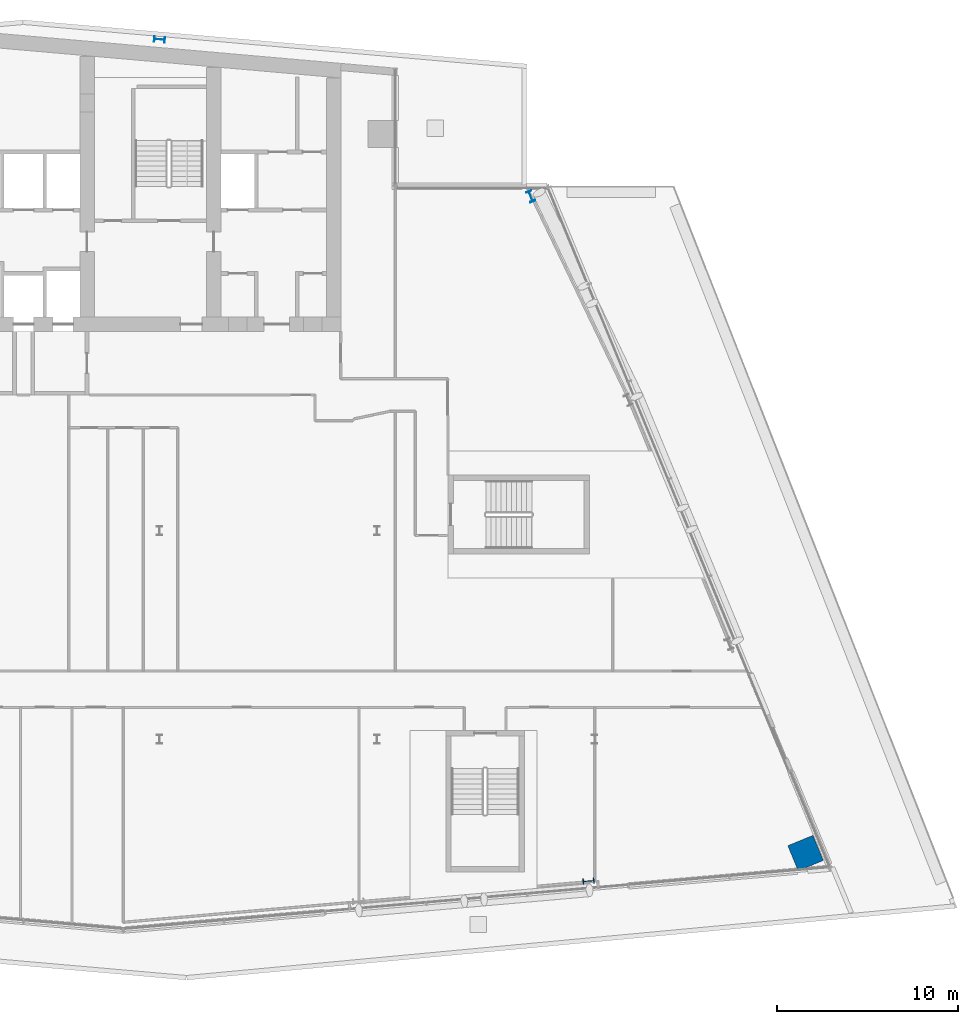
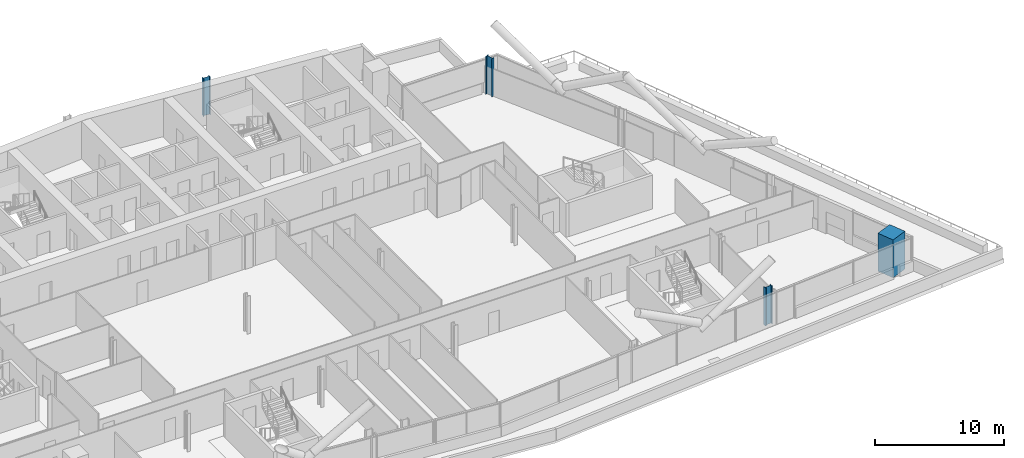
# One storey, part 4 of 30: 4 columns.
"""IFC4 building model written with IfcOpenShell, lengths in metres."""

import ifcopenshell
import ifcopenshell.guid

model = None  # the IFC model being written
_history = None  # IfcOwnerHistory: only IFC2X3 demands one
_inside = {}  # id of a spatial element -> (the spatial element, [elements in it])
_under = {}  # id of a project, library or spatial element -> (it, [spatial elements below it])
_declared = {}  # id of a project -> (the project, [libraries it declares])
_typed = {}  # id of a type object -> (the type object, [elements of that type])
_made_of = {}  # id of a material, layer set ... -> (it, [elements and type objects made of it])


def new_model(schema):
    """Start an empty IFC model of exactly this schema.

    Asked for "IFC4X3", IfcOpenShell would pick the latest addendum, in which some entities
    have other attributes; the version numbers below select the first issue.
    IFC2X3 requires an IfcOwnerHistory on every rooted entity: one is made here for all.
    """
    global model, _history
    if schema == "IFC4X3":
        model = ifcopenshell.file(schema_version=(4, 3, 0, 0))
    else:
        model = ifcopenshell.file(schema=schema)
    _inside.clear()
    _under.clear()
    _declared.clear()
    _typed.clear()
    _made_of.clear()
    _history = None
    if model.schema == "IFC2X3":
        org = make("IfcOrganization", Name="unknown")
        user = make(
            "IfcPersonAndOrganization",
            ThePerson=make("IfcPerson", FamilyName="unknown"),
            TheOrganization=org,
        )
        app = make(
            "IfcApplication",
            ApplicationDeveloper=org,
            Version="unknown",
            ApplicationFullName="unknown",
            ApplicationIdentifier="unknown",
        )
        _history = make(
            "IfcOwnerHistory",
            OwningUser=user,
            OwningApplication=app,
            ChangeAction="ADDED",
            CreationDate=0,
        )
    return model


def make(cls, **values):
    """One entity of the class cls with the attributes given. An attribute that is None is left unset."""
    return model.create_entity(
        cls, **{name: value for name, value in values.items() if value is not None}
    )


def rooted(cls, **values):
    """An entity with a GlobalId (a new one), such as an element, a storey or a relation."""
    return make(cls, GlobalId=ifcopenshell.guid.new(), OwnerHistory=_history, **values)


def si_unit(unit_type, name, prefix=None):
    """IfcSIUnit, for example si_unit("LENGTHUNIT", "METRE", prefix="MILLI")."""
    return make("IfcSIUnit", UnitType=unit_type, Prefix=prefix, Name=name)


def assignment(units):
    """IfcUnitAssignment: the units of a project."""
    return None if units is None else make("IfcUnitAssignment", Units=units)


def point(xyz):
    """IfcCartesianPoint."""
    return None if xyz is None else make("IfcCartesianPoint", Coordinates=xyz)


def direction(xyz):
    """IfcDirection."""
    return None if xyz is None else make("IfcDirection", DirectionRatios=xyz)


def frame(location, z_axis=None, x_axis=None):
    """IfcAxis2Placement3D, a coordinate frame: its origin and axes. An axis left out is left unset."""
    return make(
        "IfcAxis2Placement3D",
        Location=point(location),
        Axis=direction(z_axis),
        RefDirection=direction(x_axis),
    )


def frame_2d(location, x_axis=None):
    """IfcAxis2Placement2D, a coordinate frame in the plane: its origin and x axis."""
    return make(
        "IfcAxis2Placement2D", Location=point(location), RefDirection=direction(x_axis)
    )


def origin():
    """The frame at (0, 0, 0) with its axes left unset."""
    return frame((0.0, 0.0, 0.0))


def origin_2d():
    """The frame at (0, 0) in the plane with its x axis left unset."""
    return frame_2d((0.0, 0.0))


def place(relative_to, where):
    """IfcLocalPlacement: puts the frame where relative to a parent placement (None: the world)."""
    return make(
        "IfcLocalPlacement", PlacementRelTo=relative_to, RelativePlacement=where
    )


def context(
    kind, dimensions, precision=None, world=None, true_north=None, identifier=None
):
    """IfcGeometricRepresentationContext, for example the 3D "Model" context."""
    return make(
        "IfcGeometricRepresentationContext",
        ContextIdentifier=identifier,
        ContextType=kind,
        CoordinateSpaceDimension=dimensions,
        Precision=precision,
        WorldCoordinateSystem=world,
        TrueNorth=true_north,
    )


def subcontext(parent, identifier, kind, view, scale=None):
    """IfcGeometricRepresentationSubContext, for example "Body" below "Model"."""
    return make(
        "IfcGeometricRepresentationSubContext",
        ContextIdentifier=identifier,
        ContextType=kind,
        ParentContext=parent,
        TargetScale=scale,
        TargetView=view,
    )


def project(units=None, contexts=None):
    """IfcProject with its units and contexts."""
    return rooted(
        "IfcProject",
        Name="project",
        RepresentationContexts=contexts,
        UnitsInContext=assignment(units),
    )


def spatial(cls, under=None, at=None, **own):
    """A site, building, storey or space (cls), placed at a placement, below another one or the project."""
    s = rooted(cls, ObjectPlacement=at, **own)
    if under is not None:
        _under.setdefault(under.id(), (under, []))[1].append(s)
    return s


def profile(cls, at=None, kind="AREA", **sizes):
    """A parametric profile (cls). Its sizes go by their IFC names, for example OverallWidth=200.0."""
    return make(cls, ProfileType=kind, Position=at, **sizes)


def rectangle(**sizes):
    """IfcRectangleProfileDef."""
    return profile("IfcRectangleProfileDef", **sizes)


def i_section(**sizes):
    """IfcIShapeProfileDef."""
    return profile("IfcIShapeProfileDef", **sizes)


def extrude(swept, where, along, depth):
    """IfcExtrudedAreaSolid: the profile swept, set in the frame where, extruded along a direction by depth."""
    return make(
        "IfcExtrudedAreaSolid",
        SweptArea=swept,
        Position=where,
        ExtrudedDirection=direction(along),
        Depth=depth,
    )


def shape(context_of_items, identifier, shape_type, items):
    """IfcShapeRepresentation: the items that make up one representation, for example the "Body"."""
    return make(
        "IfcShapeRepresentation",
        ContextOfItems=context_of_items,
        RepresentationIdentifier=identifier,
        RepresentationType=shape_type,
        Items=items,
    )


def material(Name=None, Category=None):
    """IfcMaterial."""
    return make("IfcMaterial", Name=Name, Category=Category)


def material_profile(
    of_material, cross_section, Name=None, Category=None, Priority=None
):
    """IfcMaterialProfile: a cross section and its material."""
    return make(
        "IfcMaterialProfile",
        Name=Name,
        Material=of_material,
        Profile=cross_section,
        Priority=Priority,
        Category=Category,
    )


def profile_set(profiles, Name=None, composite=None):
    """IfcMaterialProfileSet."""
    return make(
        "IfcMaterialProfileSet",
        Name=Name,
        MaterialProfiles=profiles,
        CompositeProfile=composite,
    )


def made_of(thing, what):
    """Note that an element or type object is made of a material, layer set ...; save() writes the relation."""
    if what is not None:
        _made_of.setdefault(what.id(), (what, []))[1].append(thing)
    return thing


def type_object(cls, material=None, **own):
    """A type object (cls), such as IfcWallType, which elements share."""
    return made_of(rooted(cls, **own), material)


def element(
    cls,
    number,
    at=None,
    inside=None,
    cuts=None,
    type_object=None,
    material=None,
    context=None,
    identifier="Body",
    shape_type=None,
    held_by="IfcProductDefinitionShape",
    body=None,
    shapes=None,
    **own,
):
    """One element of the class cls, such as IfcWall. Its Tag is "e" and its number.

    at: its placement. inside: the storey or other place that contains it. cuts: it is an
    opening in that element (IfcRelVoidsElement). A single representation is given by context,
    identifier, shape_type and body (its items); several are given by shapes. held_by: the class
    of the entity that holds the representations. save() writes the other relations.
    """
    e = rooted(cls, Tag="e%d" % number, ObjectPlacement=at, **own)
    if body is not None:
        shapes = [shape(context, identifier, shape_type, body)]
    if shapes is not None:
        e.Representation = make(held_by, Representations=shapes)
    if inside is not None:
        _inside.setdefault(inside.id(), (inside, []))[1].append(e)
    if cuts is not None:
        rooted(
            "IfcRelVoidsElement", RelatingBuildingElement=cuts, RelatedOpeningElement=e
        )
    if type_object is not None:
        _typed.setdefault(type_object.id(), (type_object, []))[1].append(e)
    return made_of(e, material)


def aggregate(whole, parts):
    """IfcRelAggregates: a whole, such as a stair, and the parts it consists of."""
    return rooted("IfcRelAggregates", RelatingObject=whole, RelatedObjects=parts)


def save(model, path):
    """Write the relations noted so far, then the file.

    IfcRelAggregates (storeys below a building ...), IfcRelContainedInSpatialStructure (elements
    in a storey), IfcRelDefinesByType, IfcRelAssociatesMaterial and IfcRelDeclares: one each for
    every whole, place, type object, material and project.
    """
    for whole, parts in _under.values():
        aggregate(whole, parts)
    for where, things in _inside.values():
        rooted(
            "IfcRelContainedInSpatialStructure",
            RelatedElements=things,
            RelatingStructure=where,
        )
    for kind, things in _typed.values():
        rooted("IfcRelDefinesByType", RelatedObjects=things, RelatingType=kind)
    for what, things in _made_of.values():
        rooted("IfcRelAssociatesMaterial", RelatedObjects=things, RelatingMaterial=what)
    for by, libraries in _declared.values():
        rooted("IfcRelDeclares", RelatingContext=by, RelatedDefinitions=libraries)
    model.write(path)


model = new_model("IFC4")

# Units and contexts
model_context = context("Model", 3, precision=1e-05, world=origin(), true_north=direction((0.0, 1.0)))
body_context = subcontext(model_context, "Body", "Model", "MODEL_VIEW")
ifc_project = project(units=[si_unit("LENGTHUNIT", "METRE"), si_unit("AREAUNIT", "SQUARE_METRE"), si_unit("VOLUMEUNIT", "CUBIC_METRE"), si_unit("PLANEANGLEUNIT", "RADIAN"), si_unit("MASSUNIT", "GRAM", prefix="KILO")], contexts=[model_context])

# Site, building, storey
site_placement = place(None, origin())
site = spatial("IfcSite", under=ifc_project, at=site_placement, CompositionType="ELEMENT")
building_placement = place(site_placement, origin())
building = spatial("IfcBuilding", under=site, at=building_placement, Name="Wharfspan Tower", CompositionType="ELEMENT")
storey_placement = place(building_placement, frame((0.0, 0.0, 151.899902)))
storey = spatial("IfcBuildingStorey", under=building, at=storey_placement, Name="L36", CompositionType="ELEMENT", Elevation=151.899902)

# Columns
ifc_material_1 = material(Name="Steel S355J2", Category="steel")
ifc_material_profile_1 = material_profile(ifc_material_1, i_section(OverallWidth=0.300049, OverallDepth=0.600098, WebThickness=0.015381, FlangeThickness=0.030029, FilletRadius=0.0271, at=origin_2d()))
ifc_profile_set_1 = profile_set([ifc_material_profile_1], Name="Steel S355J2")
column_type_1 = type_object("IfcColumnType", Name="Column HEB 600", PredefinedType="COLUMN", material=ifc_profile_set_1)
column_1_placement = place(storey_placement, frame((48.0, 50.112305, 0.0), z_axis=(0.0, 0.0, 1.0), x_axis=(0.087156, 0.996198, 0.0)))
element("IfcColumn", 1, at=column_1_placement, inside=storey, type_object=column_type_1, Name="Rear column R.3 L36", PredefinedType="COLUMN", context=body_context, shape_type="SweptSolid", body=[
    extrude(i_section(OverallWidth=0.300049, OverallDepth=0.600098, WebThickness=0.015381, FlangeThickness=0.030029, FilletRadius=0.0271, at=origin_2d()), origin(), (0.0, 0.0, 1.0), 3.600098),
])
ifc_material_profile_2 = material_profile(ifc_material_1, i_section(OverallWidth=0.304932, OverallDepth=0.620117, WebThickness=0.020996, FlangeThickness=0.040039, FilletRadius=0.0271, at=origin_2d()))
ifc_profile_set_2 = profile_set([ifc_material_profile_2], Name="Steel S355J2")
column_type_2 = type_object("IfcColumnType", Name="Column HEM 600", PredefinedType="COLUMN", material=ifc_profile_set_2)
for number, where, z_axis, x_axis, name in (
    (2, (71.661865, 3.684814, 0.0), (0.0, 0.0, 1.0), (0.087156, -0.996198, 0.0), "Perimeter column PS2.2 L36"),
    (3, (68.471924, 41.450439, 0.0), (0.0, 0.0, 1.0), (0.924325, 0.381602, 0.0), "Perimeter column PE.3 L36"),
):
    element("IfcColumn", number, at=place(storey_placement, frame(where, z_axis=z_axis, x_axis=x_axis)), inside=storey, type_object=column_type_2, Name=name, PredefinedType="COLUMN", context=body_context, shape_type="SweptSolid", body=[
        extrude(i_section(OverallWidth=0.304932, OverallDepth=0.620117, WebThickness=0.020996, FlangeThickness=0.040039, FilletRadius=0.0271, at=origin_2d()), origin(), (0.0, 0.0, 1.0), 3.600098),
    ])
ifc_material_2 = material(Name="Concrete C60/75", Category="concrete")
ifc_material_profile_3 = material_profile(ifc_material_2, rectangle(XDim=1.5, YDim=1.5, at=origin_2d()))
ifc_profile_set_3 = profile_set([ifc_material_profile_3], Name="Concrete C60/75")
column_type_3 = type_object("IfcColumnType", Name="Mega column 1500 C60/75", PredefinedType="COLUMN", material=ifc_profile_set_3)
column_2_placement = place(storey_placement, frame((83.632568, 5.230713, 0.0), z_axis=(0.0, 0.0, 1.0), x_axis=(-0.381602, 0.924325, 0.0)))
element("IfcColumn", 4, at=column_2_placement, inside=storey, type_object=column_type_3, Name="Mega column MC4 L36", PredefinedType="COLUMN", context=body_context, shape_type="SweptSolid", body=[
    extrude(rectangle(XDim=1.5, YDim=1.5, at=origin_2d()), origin(), (0.0, 0.0, 1.0), 3.600098),
])

save(model, "model.ifc")
